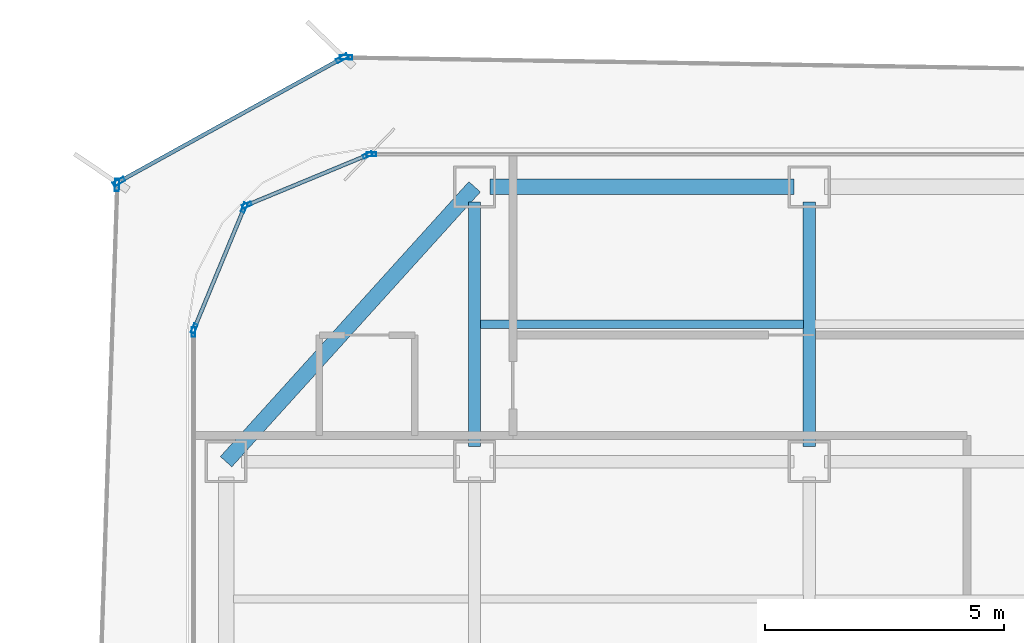
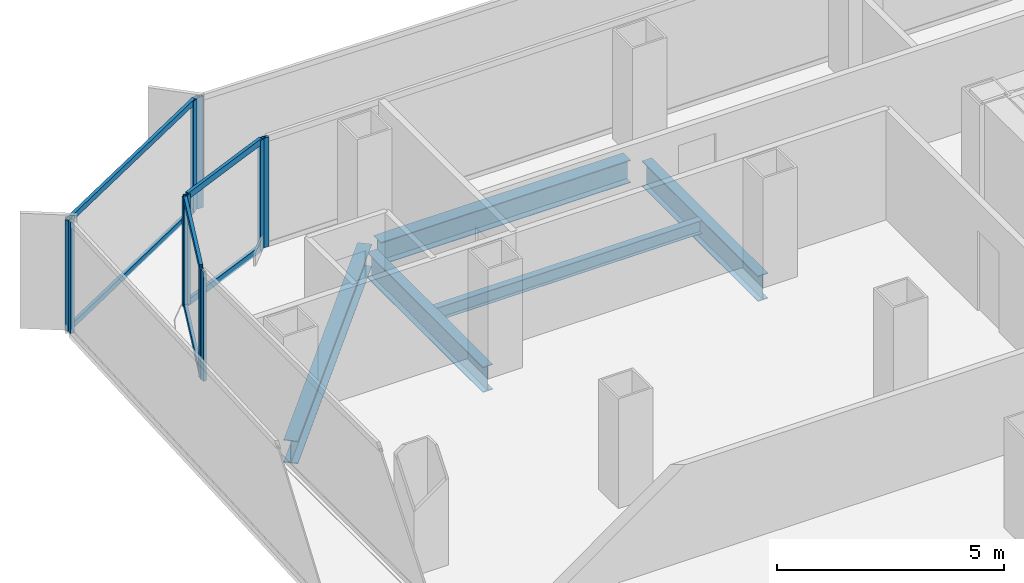
# One storey, part 10 of 21: 16 members, 5 beams, 7 elements without a shape of their own.
"""IFC4 building model written with IfcOpenShell, lengths in metres."""

from ifc_helpers import new_model, si_unit, direction, frame, origin, origin_2d, place, context, subcontext, project, spatial, hollow_rectangle, i_section, extrude, source, transform, mapped, material, layer, layer_set, material_profile, profile_set, type_object, element, aggregate, save


model = new_model("IFC4")

# Units and contexts
model_context = context("Model", 3, precision=1e-05, world=origin(), true_north=direction((0.0, 1.0)))
body_context = subcontext(model_context, "Body", "Model", "MODEL_VIEW")
ifc_project = project(units=[si_unit("LENGTHUNIT", "METRE"), si_unit("AREAUNIT", "SQUARE_METRE"), si_unit("VOLUMEUNIT", "CUBIC_METRE"), si_unit("PLANEANGLEUNIT", "RADIAN"), si_unit("MASSUNIT", "GRAM", prefix="KILO")], contexts=[model_context])

# Site, building, storey
site_placement = place(None, origin())
site = spatial("IfcSite", under=ifc_project, at=site_placement, CompositionType="ELEMENT")
building_placement = place(site_placement, origin())
building = spatial("IfcBuilding", under=site, at=building_placement, Name="Kolveth Station Tower", CompositionType="ELEMENT")
storey_placement = place(building_placement, frame((0.0, 0.0, 95.89990234375)))
storey = spatial("IfcBuildingStorey", under=building, at=storey_placement, Name="L25", CompositionType="ELEMENT", Elevation=95.89990234375)

# Beams
ifc_material_1 = material(Name="Steel S355", Category="steel")
ifc_material_profile_1 = material_profile(ifc_material_1, i_section(OverallWidth=0.323974609375, OverallDepth=0.611083984375, WebThickness=0.0126953125, FlangeThickness=0.01904296875, at=origin_2d()), Name="W610x155")
ifc_profile_set_1 = profile_set([ifc_material_profile_1], Name="Steel S355")
beam_type_1 = type_object("IfcBeamType", Name="Beam_SP2", PredefinedType="SPANDREL", material=ifc_profile_set_1)
shared_shape_1 = source(origin(), body_context, "Body", "SweptSolid", [
    extrude(i_section(OverallWidth=0.323974609375, OverallDepth=0.611083984375, WebThickness=0.0126953125, FlangeThickness=0.01904296875, at=origin_2d()), origin(), (0.0, 0.0, 1.0), 6.35986328125),
])
beam_1_placement = place(storey_placement, frame((6.320068359375, 34.5, -0.555419921875), z_axis=(1.0, 0.0, 0.0), x_axis=(0.0, 1.0, 0.0)))
element("IfcBeam", 1, at=beam_1_placement, inside=storey, type_object=beam_type_1, Name="L25 Perimeter Spandrel BM-L25-PN-1", PredefinedType="SPANDREL", context=body_context, shape_type="MappedRepresentation", body=[
    mapped(shared_shape_1, transform((0.0, 0.0, 0.0), x_axis=(1.0, 0.0, 0.0), y_axis=(0.0, 1.0, 0.0), z_axis=(0.0, 0.0, 1.0), scale=1.0)),
])
shared_shape_2 = source(origin(), body_context, "Body", "SweptSolid", [
    extrude(i_section(OverallWidth=0.323974609375, OverallDepth=0.611083984375, WebThickness=0.0126953125, FlangeThickness=0.01904296875, at=origin_2d()), origin(), (0.0, 0.0, 1.0), 7.75244140625),
])
beam_2_placement = place(storey_placement, frame((6.0, 34.5, -0.555419921875), z_axis=(-0.670740965555, -0.74169168603, 0.0), x_axis=(0.74169168603, -0.670740965555, 0.0)))
element("IfcBeam", 2, at=beam_2_placement, inside=storey, type_object=beam_type_1, Name="L25 Corner Edge Girder BM-L25-CNR-NW", PredefinedType="SPANDREL", context=body_context, shape_type="MappedRepresentation", body=[
    mapped(shared_shape_2, transform((0.0, 0.0, 0.0), x_axis=(1.0, 0.0, 0.0), y_axis=(0.0, 1.0, 0.0), z_axis=(0.0, 0.0, 1.0), scale=1.0)),
])
ifc_material_profile_2 = material_profile(ifc_material_1, i_section(OverallWidth=0.25390625, OverallDepth=0.68798828125, WebThickness=0.01318359375, FlangeThickness=0.02099609375, at=origin_2d()), Name="W690x152")
ifc_profile_set_2 = profile_set([ifc_material_profile_2], Name="Steel S355")
beam_type_2 = type_object("IfcBeamType", Name="Beam_B4", PredefinedType="BEAM", material=ifc_profile_set_2)
shared_shape_3 = source(origin(), body_context, "Body", "SweptSolid", [
    extrude(i_section(OverallWidth=0.25390625, OverallDepth=0.68798828125, WebThickness=0.01318359375, FlangeThickness=0.02099609375, at=origin_2d()), origin(), (0.0, 0.0, 1.0), 5.10986328125),
])
for number, where, z_axis, x_axis, name in (
    (3, (6.0, 29.070068359375, -0.593994140625), (0.0, 1.0, 0.0), (-1.0, 0.0, 0.0), "L25 Primary Girder BM-L25-GX60-6"),
    (4, (13.0, 29.070068359375, -0.593994140625), (0.0, 1.0, 0.0), (-1.0, 0.0, 0.0), "L25 Primary Girder BM-L25-GX130-6"),
):
    element("IfcBeam", number, at=place(storey_placement, frame(where, z_axis=z_axis, x_axis=x_axis)), inside=storey, type_object=beam_type_2, Name=name, PredefinedType="BEAM", context=body_context, shape_type="MappedRepresentation", body=[
        mapped(shared_shape_3, transform((0.0, 0.0, 0.0), x_axis=(1.0, 0.0, 0.0), y_axis=(0.0, 1.0, 0.0), z_axis=(0.0, 0.0, 1.0), scale=1.0)),
    ])
ifc_material_profile_3 = material_profile(ifc_material_1, i_section(OverallWidth=0.1708984375, OverallDepth=0.35205078125, WebThickness=0.0068359375, FlangeThickness=0.009765625, at=origin_2d()), Name="W360x44")
ifc_profile_set_3 = profile_set([ifc_material_profile_3], Name="Steel S355")
beam_type_3 = type_object("IfcBeamType", Name="Beam_J2", PredefinedType="JOIST", material=ifc_profile_set_3)
shared_shape_4 = source(origin(), body_context, "Body", "SweptSolid", [
    extrude(i_section(OverallWidth=0.1708984375, OverallDepth=0.35205078125, WebThickness=0.0068359375, FlangeThickness=0.009765625, at=origin_2d()), origin(), (0.0, 0.0, 1.0), 6.75),
])
beam_3_placement = place(storey_placement, frame((6.125, 31.625, -0.42578125), z_axis=(1.0, 0.0, 0.0), x_axis=(0.0, 1.0, 0.0)))
element("IfcBeam", 5, at=beam_3_placement, inside=storey, type_object=beam_type_3, Name="L25 Secondary Joist JST-L25-2-6", PredefinedType="JOIST", context=body_context, shape_type="MappedRepresentation", body=[
    mapped(shared_shape_4, transform((0.0, 0.0, 0.0), x_axis=(1.0, 0.0, 0.0), y_axis=(0.0, 1.0, 0.0), z_axis=(0.0, 0.0, 1.0), scale=1.0)),
])

# Curtain wall, members
ifc_material_2 = material(Name="Aluminium 6063-T6 and low-E dark glass", Category="aluminium")
ifc_layer_1 = layer(ifc_material_2, 0.18994140625)
ifc_layer_set_1 = layer_set([ifc_layer_1], Name="Aluminium 6063-T6 and low-E dark glass")
curtain_wall_type_1 = type_object("IfcCurtainWallType", Name="CurtainWall_CW-Z2", PredefinedType="NOTDEFINED", material=ifc_layer_set_1)
curtain_wall_1_placement = place(storey_placement, origin())
curtain_wall_1 = element("IfcCurtainWall", 6, at=curtain_wall_1_placement, inside=storey, type_object=curtain_wall_type_1, Name="L25 Inner Thermal Curtain Wall 7", PredefinedType="NOTDEFINED")
ifc_material_3 = material(Name="Black anodized aluminium 6063-T6", Category="aluminium")
ifc_material_profile_4 = material_profile(ifc_material_3, hollow_rectangle(XDim=0.080078125, YDim=0.169921875, WallThickness=0.0048828125, at=origin_2d()), Name="ALU-80x170x5")
ifc_profile_set_4 = profile_set([ifc_material_profile_4], Name="Black anodized aluminium 6063-T6")
member_type_1 = type_object("IfcMemberType", Name="Transom_TR2", PredefinedType="USERDEFINED", material=ifc_profile_set_4)
shared_shape_5 = source(origin(), body_context, "Body", "SweptSolid", [
    extrude(hollow_rectangle(XDim=0.080078125, YDim=0.169921875, WallThickness=0.0048828125, at=origin_2d()), origin(), (0.0, 0.0, 1.0), 2.656494140625),
])
member_1_placement = place(storey_placement, frame((3.72607421875, 35.1494140625, 0.0400390625), z_axis=(-0.923882422403, -0.382676455475, 0.0), x_axis=(0.382676455475, -0.923882422403, 0.0)))
member_1 = element("IfcMember", 7, at=member_1_placement, type_object=member_type_1, Name="CW-Z2 transom 1.1", ObjectType="TRANSOM", PredefinedType="USERDEFINED", context=body_context, shape_type="MappedRepresentation", body=[
    mapped(shared_shape_5, transform((0.0, 0.0, 0.0), x_axis=(1.0, 0.0, 0.0), y_axis=(0.0, 1.0, 0.0), z_axis=(0.0, 0.0, 1.0), scale=1.0)),
])
member_2_placement = place(storey_placement, frame((3.72607421875, 35.1494140625, 2.91015625), z_axis=(-0.923882422403, -0.382676455475, 0.0), x_axis=(0.382676455475, -0.923882422403, 0.0)))
member_2 = element("IfcMember", 8, at=member_2_placement, type_object=member_type_1, Name="CW-Z2 transom 1.2", ObjectType="TRANSOM", PredefinedType="USERDEFINED", context=body_context, shape_type="MappedRepresentation", body=[
    mapped(shared_shape_5, transform((0.0, 0.0, 0.0), x_axis=(1.0, 0.0, 0.0), y_axis=(0.0, 1.0, 0.0), z_axis=(0.0, 0.0, 1.0), scale=1.0)),
])

curtain_wall_2_placement = place(storey_placement, origin())
curtain_wall_2 = element("IfcCurtainWall", 9, at=curtain_wall_2_placement, inside=storey, type_object=curtain_wall_type_1, Name="L25 Inner Thermal Curtain Wall 8", PredefinedType="NOTDEFINED")
member_3_placement = place(storey_placement, frame((1.167236328125, 34.0283203125, 0.0400390625), z_axis=(-0.382676455475, -0.923882422403, 0.0), x_axis=(0.923882422403, -0.382676455475, 0.0)))
member_3 = element("IfcMember", 10, at=member_3_placement, type_object=member_type_1, Name="CW-Z2 transom 1.1", ObjectType="TRANSOM", PredefinedType="USERDEFINED", context=body_context, shape_type="MappedRepresentation", body=[
    mapped(shared_shape_5, transform((0.0, 0.0, 0.0), x_axis=(1.0, 0.0, 0.0), y_axis=(0.0, 1.0, 0.0), z_axis=(0.0, 0.0, 1.0), scale=1.0)),
])
member_4_placement = place(storey_placement, frame((1.167236328125, 34.0283203125, 2.91015625), z_axis=(-0.382676455475, -0.923882422403, 0.0), x_axis=(0.923882422403, -0.382676455475, 0.0)))
member_4 = element("IfcMember", 11, at=member_4_placement, type_object=member_type_1, Name="CW-Z2 transom 1.2", ObjectType="TRANSOM", PredefinedType="USERDEFINED", context=body_context, shape_type="MappedRepresentation", body=[
    mapped(shared_shape_5, transform((0.0, 0.0, 0.0), x_axis=(1.0, 0.0, 0.0), y_axis=(0.0, 1.0, 0.0), z_axis=(0.0, 0.0, 1.0), scale=1.0)),
])

# Curtain wall, member
ifc_material_4 = material(Name="Black anodized aluminium 6063-T6 and dark solar glass", Category="aluminium")
ifc_layer_2 = layer(ifc_material_4, 0.159912109375)
ifc_layer_set_2 = layer_set([ifc_layer_2], Name="Black anodized aluminium 6063-T6 and dark solar glass")
curtain_wall_type_2 = type_object("IfcCurtainWallType", Name="OUTER SKIN CW-OS", PredefinedType="NOTDEFINED", material=ifc_layer_set_2)
curtain_wall_3_placement = place(storey_placement, origin())
curtain_wall_3 = element("IfcCurtainWall", 12, at=curtain_wall_3_placement, inside=storey, type_object=curtain_wall_type_2, Name="L25 Outer Ventilated Skin Curtain Wall 4", PredefinedType="NOTDEFINED")
ifc_material_profile_5 = material_profile(ifc_material_3, hollow_rectangle(XDim=0.090087890625, YDim=0.260009765625, WallThickness=0.0048828125, at=origin_2d()), Name="ALU-90x260x5")
ifc_profile_set_5 = profile_set([ifc_material_profile_5], Name="Black anodized aluminium 6063-T6")
member_type_2 = type_object("IfcMemberType", Name="FIN MULLION ML-OS", PredefinedType="MULLION", material=ifc_profile_set_5)
shared_shape_6 = source(origin(), body_context, "Body", "SweptSolid", [
    extrude(hollow_rectangle(XDim=0.090087890625, YDim=0.260009765625, WallThickness=0.0048828125, at=origin_2d()), origin(), (0.0, 0.0, 1.0), 2.989990234375),
])
member_5_placement = place(storey_placement, frame((3.311279296875, 37.208984375, 0.0), z_axis=(0.0, 0.0, 1.0), x_axis=(-0.016100695219, -0.999870375405, 0.0)))
member_5 = element("IfcMember", 13, at=member_5_placement, type_object=member_type_2, Name="CW-OS mullion 2", PredefinedType="MULLION", context=body_context, shape_type="MappedRepresentation", body=[
    mapped(shared_shape_6, transform((0.0, 0.0, 0.0), x_axis=(1.0, 0.0, 0.0), y_axis=(0.0, 1.0, 0.0), z_axis=(0.0, 0.0, 1.0), scale=1.0)),
])
aggregate(curtain_wall_3, [member_5])

# Curtain wall, members
curtain_wall_4_placement = place(storey_placement, origin())
curtain_wall_4 = element("IfcCurtainWall", 14, at=curtain_wall_4_placement, inside=storey, type_object=curtain_wall_type_2, Name="L25 Outer Ventilated Skin Curtain Wall 5", PredefinedType="NOTDEFINED")
member_6_placement = place(storey_placement, frame((3.226806640625, 37.18798828125, 0.0), z_axis=(0.0, 0.0, 1.0), x_axis=(0.483952630381, -0.875094195814, 0.0)))
member_6 = element("IfcMember", 15, at=member_6_placement, type_object=member_type_2, Name="CW-OS mullion 1", PredefinedType="MULLION", context=body_context, shape_type="MappedRepresentation", body=[
    mapped(shared_shape_6, transform((0.0, 0.0, 0.0), x_axis=(1.0, 0.0, 0.0), y_axis=(0.0, 1.0, 0.0), z_axis=(0.0, 0.0, 1.0), scale=1.0)),
])
member_7_placement = place(storey_placement, frame((-1.43994140625, 34.607177734375, 0.0), z_axis=(0.0, 0.0, 1.0), x_axis=(0.483952630381, -0.875094195814, 0.0)))
member_7 = element("IfcMember", 16, at=member_7_placement, type_object=member_type_2, Name="CW-OS mullion 2", PredefinedType="MULLION", context=body_context, shape_type="MappedRepresentation", body=[
    mapped(shared_shape_6, transform((0.0, 0.0, 0.0), x_axis=(1.0, 0.0, 0.0), y_axis=(0.0, 1.0, 0.0), z_axis=(0.0, 0.0, 1.0), scale=1.0)),
])

# Curtain wall, member
curtain_wall_5_placement = place(storey_placement, origin())
curtain_wall_5 = element("IfcCurtainWall", 17, at=curtain_wall_5_placement, inside=storey, type_object=curtain_wall_type_2, Name="L25 Outer Ventilated Skin Curtain Wall 6", PredefinedType="NOTDEFINED")
member_8_placement = place(storey_placement, frame((-1.480712890625, 34.54052734375, 0.0), z_axis=(0.0, 0.0, 1.0), x_axis=(0.999418614663, -0.034094466779, 0.0)))
member_8 = element("IfcMember", 18, at=member_8_placement, type_object=member_type_2, Name="CW-OS mullion 1", PredefinedType="MULLION", context=body_context, shape_type="MappedRepresentation", body=[
    mapped(shared_shape_6, transform((0.0, 0.0, 0.0), x_axis=(1.0, 0.0, 0.0), y_axis=(0.0, 1.0, 0.0), z_axis=(0.0, 0.0, 1.0), scale=1.0)),
])
aggregate(curtain_wall_5, [member_8])

curtain_wall_6_placement = place(storey_placement, origin())
curtain_wall_6 = element("IfcCurtainWall", 19, at=curtain_wall_6_placement, inside=storey, type_object=curtain_wall_type_1, Name="L25 Inner Thermal Curtain Wall 6", PredefinedType="NOTDEFINED")
ifc_material_profile_6 = material_profile(ifc_material_3, hollow_rectangle(XDim=0.080078125, YDim=0.199951171875, WallThickness=0.0048828125, at=origin_2d()), Name="ALU-80x200x5")
ifc_profile_set_6 = profile_set([ifc_material_profile_6], Name="Black anodized aluminium 6063-T6")
member_type_3 = type_object("IfcMemberType", Name="Mullion_ML2", PredefinedType="MULLION", material=ifc_profile_set_6)
shared_shape_7 = source(origin(), body_context, "Body", "SweptSolid", [
    extrude(hollow_rectangle(XDim=0.080078125, YDim=0.199951171875, WallThickness=0.0048828125, at=origin_2d()), origin(), (0.0, 0.0, 1.0), 2.9501953125),
])
member_9_placement = place(storey_placement, frame((3.840087890625, 35.179931640625, 0.0), z_axis=(0.0, 0.0, 1.0), x_axis=(0.0, -1.0, 0.0)))
member_9 = element("IfcMember", 20, at=member_9_placement, type_object=member_type_3, Name="CW-Z2 mullion 3", PredefinedType="MULLION", context=body_context, shape_type="MappedRepresentation", body=[
    mapped(shared_shape_7, transform((0.0, 0.0, 0.0), x_axis=(1.0, 0.0, 0.0), y_axis=(0.0, 1.0, 0.0), z_axis=(0.0, 0.0, 1.0), scale=1.0)),
])
aggregate(curtain_wall_6, [member_9])

# Member
member_10_placement = place(storey_placement, frame((3.762939453125, 35.164794921875, 0.0), z_axis=(0.0, 0.0, 1.0), x_axis=(0.38266326998, -0.923887883787, 0.0)))
member_10 = element("IfcMember", 21, at=member_10_placement, type_object=member_type_3, Name="CW-Z2 mullion 1", PredefinedType="MULLION", context=body_context, shape_type="MappedRepresentation", body=[
    mapped(shared_shape_7, transform((0.0, 0.0, 0.0), x_axis=(1.0, 0.0, 0.0), y_axis=(0.0, 1.0, 0.0), z_axis=(0.0, 0.0, 1.0), scale=1.0)),
])

member_11_placement = place(storey_placement, frame((1.23486328125, 34.117431640625, 0.0), z_axis=(0.0, 0.0, 1.0), x_axis=(0.38266326998, -0.923887883787, 0.0)))
member_11 = element("IfcMember", 22, at=member_11_placement, type_object=member_type_3, Name="CW-Z2 mullion 2", PredefinedType="MULLION", context=body_context, shape_type="MappedRepresentation", body=[
    mapped(shared_shape_7, transform((0.0, 0.0, 0.0), x_axis=(1.0, 0.0, 0.0), y_axis=(0.0, 1.0, 0.0), z_axis=(0.0, 0.0, 1.0), scale=1.0)),
])

aggregate(curtain_wall_1, [member_10, member_11, member_1, member_2])

member_12_placement = place(storey_placement, frame((1.182373046875, 34.065185546875, 0.0), z_axis=(0.0, 0.0, 1.0), x_axis=(0.923887883787, -0.38266326998, 0.0)))
member_12 = element("IfcMember", 23, at=member_12_placement, type_object=member_type_3, Name="CW-Z2 mullion 1", PredefinedType="MULLION", context=body_context, shape_type="MappedRepresentation", body=[
    mapped(shared_shape_7, transform((0.0, 0.0, 0.0), x_axis=(1.0, 0.0, 0.0), y_axis=(0.0, 1.0, 0.0), z_axis=(0.0, 0.0, 1.0), scale=1.0)),
])

member_13_placement = place(storey_placement, frame((0.13525390625, 31.536865234375, 0.0), z_axis=(0.0, 0.0, 1.0), x_axis=(0.923887883787, -0.38266326998, 0.0)))
member_13 = element("IfcMember", 24, at=member_13_placement, type_object=member_type_3, Name="CW-Z2 mullion 2", PredefinedType="MULLION", context=body_context, shape_type="MappedRepresentation", body=[
    mapped(shared_shape_7, transform((0.0, 0.0, 0.0), x_axis=(1.0, 0.0, 0.0), y_axis=(0.0, 1.0, 0.0), z_axis=(0.0, 0.0, 1.0), scale=1.0)),
])

aggregate(curtain_wall_2, [member_12, member_13, member_3, member_4])

# Curtain wall, member
curtain_wall_7_placement = place(storey_placement, origin())
curtain_wall_7 = element("IfcCurtainWall", 25, at=curtain_wall_7_placement, inside=storey, type_object=curtain_wall_type_1, Name="L25 Inner Thermal Curtain Wall 9", PredefinedType="NOTDEFINED")
member_14_placement = place(storey_placement, frame((0.1201171875, 31.4599609375, 0.0), z_axis=(0.0, 0.0, 1.0), x_axis=(1.0, 0.0, 0.0)))
member_14 = element("IfcMember", 26, at=member_14_placement, type_object=member_type_3, Name="CW-Z2 mullion 1", PredefinedType="MULLION", context=body_context, shape_type="MappedRepresentation", body=[
    mapped(shared_shape_7, transform((0.0, 0.0, 0.0), x_axis=(1.0, 0.0, 0.0), y_axis=(0.0, 1.0, 0.0), z_axis=(0.0, 0.0, 1.0), scale=1.0)),
])
aggregate(curtain_wall_7, [member_14])

# Member
ifc_material_profile_7 = material_profile(ifc_material_3, hollow_rectangle(XDim=0.080078125, YDim=0.14990234375, WallThickness=0.0048828125, at=origin_2d()), Name="ALU-80x150x5")
ifc_profile_set_7 = profile_set([ifc_material_profile_7], Name="Black anodized aluminium 6063-T6")
member_type_4 = type_object("IfcMemberType", Name="Transom_TR-OS", PredefinedType="USERDEFINED", material=ifc_profile_set_7)
shared_shape_8 = source(origin(), body_context, "Body", "SweptSolid", [
    extrude(hollow_rectangle(XDim=0.080078125, YDim=0.14990234375, WallThickness=0.0048828125, at=origin_2d()), origin(), (0.0, 0.0, 1.0), 5.24267578125),
])
member_15_placement = place(storey_placement, frame((3.1875, 37.166259765625, 0.0400390625), z_axis=(-0.875084817293, -0.483969588449, 0.0), x_axis=(0.483969588449, -0.875084817293, 0.0)))
member_15 = element("IfcMember", 27, at=member_15_placement, type_object=member_type_4, Name="CW-OS transom 1.1", ObjectType="TRANSOM", PredefinedType="USERDEFINED", context=body_context, shape_type="MappedRepresentation", body=[
    mapped(shared_shape_8, transform((0.0, 0.0, 0.0), x_axis=(1.0, 0.0, 0.0), y_axis=(0.0, 1.0, 0.0), z_axis=(0.0, 0.0, 1.0), scale=1.0)),
])

member_16_placement = place(storey_placement, frame((3.1875, 37.166259765625, 2.9501953125), z_axis=(-0.875084817293, -0.483969588449, 0.0), x_axis=(0.483969588449, -0.875084817293, 0.0)))
member_16 = element("IfcMember", 28, at=member_16_placement, type_object=member_type_4, Name="CW-OS transom 1.2", ObjectType="TRANSOM", PredefinedType="USERDEFINED", context=body_context, shape_type="MappedRepresentation", body=[
    mapped(shared_shape_8, transform((0.0, 0.0, 0.0), x_axis=(1.0, 0.0, 0.0), y_axis=(0.0, 1.0, 0.0), z_axis=(0.0, 0.0, 1.0), scale=1.0)),
])

aggregate(curtain_wall_4, [member_6, member_7, member_15, member_16])

save(model, "model.ifc")
